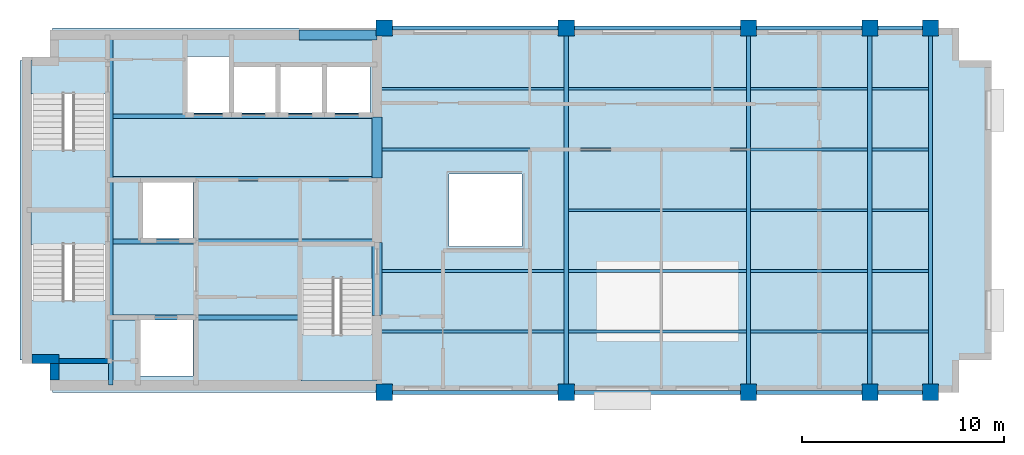
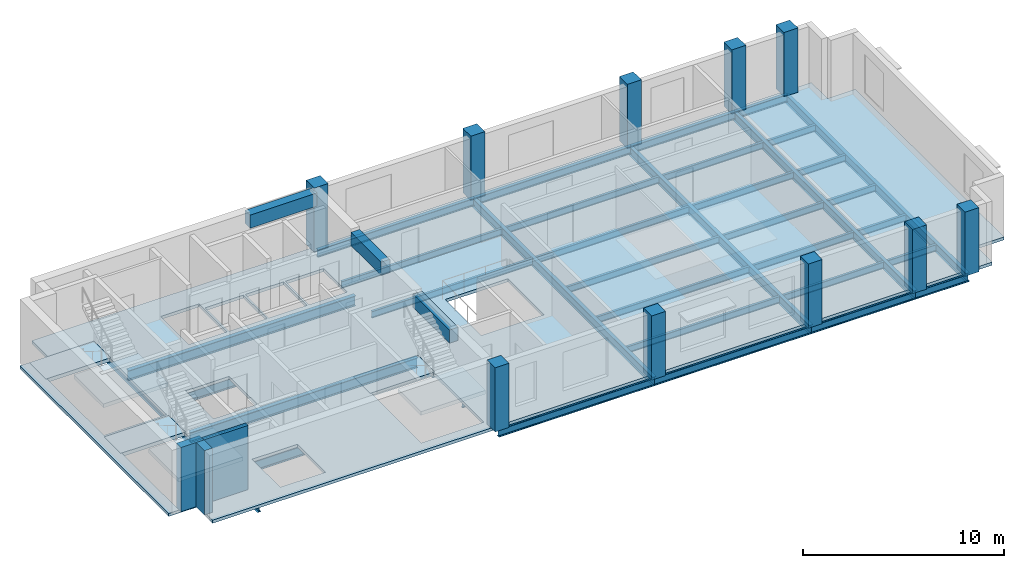
# One storey, part 1 of 5: 39 beams, 10 columns, 7 slabs, 3 walls, 3 elements without a shape of their own.
"""IFC4 building model written with IfcOpenShell, lengths in metres."""

from ifc_helpers import new_model, si_unit, direction, frame, frame_2d, origin, origin_2d, place, context, subcontext, project, spatial, polyline, rectangle, i_section, outline, extrude, material, layer, layer_set, material_profile, profile_set, type_object, element, aggregate, save


model = new_model("IFC4")

# Units and contexts
model_context = context("Model", 3, precision=1e-05, world=origin(), true_north=direction((0.0, 1.0)))
body_context = subcontext(model_context, "Body", "Model", "MODEL_VIEW")
ifc_project = project(units=[si_unit("LENGTHUNIT", "METRE"), si_unit("AREAUNIT", "SQUARE_METRE"), si_unit("VOLUMEUNIT", "CUBIC_METRE"), si_unit("PLANEANGLEUNIT", "RADIAN"), si_unit("MASSUNIT", "GRAM", prefix="KILO")], contexts=[model_context])

# Site, building, storey
site_placement = place(None, origin())
site = spatial("IfcSite", under=ifc_project, at=site_placement, CompositionType="ELEMENT")
building_placement = place(site_placement, origin())
building = spatial("IfcBuilding", under=site, at=building_placement, Name="Mawjdan Bourse Tower", CompositionType="ELEMENT")
storey_placement = place(building_placement, frame((0.0, 0.0, 270.300048828125)))
storey = spatial("IfcBuildingStorey", under=building, at=storey_placement, Name="L66", CompositionType="ELEMENT", Elevation=270.300048828125)

# Columns
ifc_material_1 = material(Name="Concrete C60/75", Category="concrete")
ifc_material_profile_1 = material_profile(ifc_material_1, rectangle(XDim=0.800048828125, YDim=0.800048828125, at=origin_2d()), Name="RC800X800")
ifc_profile_set_1 = profile_set([ifc_material_profile_1], Name="Concrete C60/75")
column_type = type_object("IfcColumnType", Name="COL-RC800X800", PredefinedType="COLUMN", material=ifc_profile_set_1)
for number, where, z_axis, x_axis, name in (
    (1, (24.0, 3.0, 0.0), (0.0, 0.0, 1.0), (1.0, 0.0, 0.0), "L66 Structural Column C-X240-Y30"),
    (2, (24.0, 21.0, 0.0), (0.0, 0.0, 1.0), (1.0, 0.0, 0.0), "L66 Structural Column C-X240-Y210"),
    (3, (33.0, 3.0, 0.0), (0.0, 0.0, 1.0), (1.0, 0.0, 0.0), "L66 Structural Column C-X330-Y30"),
    (4, (33.0, 21.0, 0.0), (0.0, 0.0, 1.0), (1.0, 0.0, 0.0), "L66 Structural Column C-X330-Y210"),
    (5, (42.0, 3.0, 0.0), (0.0, 0.0, 1.0), (1.0, 0.0, 0.0), "L66 Structural Column C-X420-Y30"),
    (6, (42.0, 21.0, 0.0), (0.0, 0.0, 1.0), (1.0, 0.0, 0.0), "L66 Structural Column C-X420-Y210"),
    (7, (48.0, 3.0, 0.0), (0.0, 0.0, 1.0), (1.0, 0.0, 0.0), "L66 Structural Column C-X480-Y30"),
    (8, (48.0, 21.0, 0.0), (0.0, 0.0, 1.0), (1.0, 0.0, 0.0), "L66 Structural Column C-X480-Y210"),
    (9, (51.0, 3.0, 0.0), (0.0, 0.0, 1.0), (1.0, 0.0, 0.0), "L66 Structural Column C-X510-Y30"),
    (10, (51.0, 21.0, 0.0), (0.0, 0.0, 1.0), (1.0, 0.0, 0.0), "L66 Structural Column C-X510-Y210"),
):
    element("IfcColumn", number, at=place(storey_placement, frame(where, z_axis=z_axis, x_axis=x_axis)), inside=storey, type_object=column_type, Name=name, PredefinedType="COLUMN", context=body_context, shape_type="SweptSolid", body=[
        extrude(rectangle(XDim=0.800048828125, YDim=0.800048828125, at=origin_2d()), origin(), (0.0, 0.0, 1.0), 3.89990234375),
    ])

# Beams
ifc_material_2 = material(Name="Structural Steel S355", Category="steel")
ifc_material_profile_2 = material_profile(ifc_material_2, i_section(OverallWidth=0.2119140625, OverallDepth=0.5439453125, WebThickness=0.01318359375, FlangeThickness=0.021240234375, FilletRadius=0.01708984375, at=origin_2d()), Name="W21X83")
ifc_profile_set_2 = profile_set([ifc_material_profile_2], Name="Structural Steel S355")
beam_type_1 = type_object("IfcBeamType", Name="GRD-W21X83", PredefinedType="BEAM", material=ifc_profile_set_2)
beam_1_placement = place(storey_placement, frame((10.47998046875, 3.35009765625, -0.45703125), z_axis=(0.0, 1.0, 0.0), x_axis=(-1.0, 0.0, 0.0)))
element("IfcBeam", 11, at=beam_1_placement, inside=storey, type_object=beam_type_1, Name="L66 Core Stair Trimmer Girder 001", PredefinedType="BEAM", context=body_context, shape_type="SweptSolid", body=[
    extrude(i_section(OverallWidth=0.2119140625, OverallDepth=0.5439453125, WebThickness=0.01318359375, FlangeThickness=0.021240234375, FilletRadius=0.01708984375, at=origin_2d()), origin(), (0.0, 0.0, 1.0), 17.2998046875),
])
for number, where, z_axis, x_axis, name in (
    (12, (33.0, 3.0, -0.45703125), (0.0, 1.0, 0.0), (-1.0, 0.0, 0.0), "L66 East Wing Clear-Span Girder 002"),
    (13, (42.0, 3.0, -0.45703125), (0.0, 1.0, 0.0), (-1.0, 0.0, 0.0), "L66 East Wing Clear-Span Girder 003"),
    (14, (48.0, 3.0, -0.45703125), (0.0, 1.0, 0.0), (-1.0, 0.0, 0.0), "L66 East Wing Clear-Span Girder 004"),
    (15, (51.0, 3.0, -0.45703125), (0.0, 1.0, 0.0), (-1.0, 0.0, 0.0), "L66 East Wing Clear-Span Girder 005"),
):
    element("IfcBeam", number, at=place(storey_placement, frame(where, z_axis=z_axis, x_axis=x_axis)), inside=storey, type_object=beam_type_1, Name=name, PredefinedType="BEAM", context=body_context, shape_type="SweptSolid", body=[
        extrude(i_section(OverallWidth=0.2119140625, OverallDepth=0.5439453125, WebThickness=0.01318359375, FlangeThickness=0.021240234375, FilletRadius=0.01708984375, at=origin_2d()), origin(), (0.0, 0.0, 1.0), 18.0),
    ])
ifc_material_profile_3 = material_profile(ifc_material_2, i_section(OverallWidth=0.139892578125, OverallDepth=0.404052734375, WebThickness=0.007080078125, FlangeThickness=0.01123046875, FilletRadius=0.009033203125, at=origin_2d()), Name="W16X31")
ifc_profile_set_3 = profile_set([ifc_material_profile_3], Name="Structural Steel S355")
beam_type_2 = type_object("IfcBeamType", Name="JST-W16X31", PredefinedType="JOIST", material=ifc_profile_set_3)
beam_2_placement = place(storey_placement, frame((23.64990234375, 6.0, -0.386962890625), z_axis=(1.0, 0.0, 0.0), x_axis=(0.0, 1.0, 0.0)))
element("IfcBeam", 16, at=beam_2_placement, inside=storey, type_object=beam_type_2, Name="L66 East Wing Composite Joist 014", PredefinedType="JOIST", context=body_context, shape_type="SweptSolid", body=[
    extrude(i_section(OverallWidth=0.139892578125, OverallDepth=0.404052734375, WebThickness=0.007080078125, FlangeThickness=0.01123046875, FilletRadius=0.009033203125, at=origin_2d()), origin(), (0.0, 0.0, 1.0), 9.24609375),
])
beam_3_placement = place(storey_placement, frame((33.10400390625, 6.0, -0.386962890625), z_axis=(1.0, 0.0, 0.0), x_axis=(0.0, 1.0, 0.0)))
element("IfcBeam", 17, at=beam_3_placement, inside=storey, type_object=beam_type_2, Name="L66 East Wing Composite Joist 015", PredefinedType="JOIST", context=body_context, shape_type="SweptSolid", body=[
    extrude(i_section(OverallWidth=0.139892578125, OverallDepth=0.404052734375, WebThickness=0.007080078125, FlangeThickness=0.01123046875, FilletRadius=0.009033203125, at=origin_2d()), origin(), (0.0, 0.0, 1.0), 8.7919921875),
])
beam_4_placement = place(storey_placement, frame((42.10400390625, 6.0, -0.386962890625), z_axis=(1.0, 0.0, 0.0), x_axis=(0.0, 1.0, 0.0)))
element("IfcBeam", 18, at=beam_4_placement, inside=storey, type_object=beam_type_2, Name="L66 East Wing Composite Joist 016", PredefinedType="JOIST", context=body_context, shape_type="SweptSolid", body=[
    extrude(i_section(OverallWidth=0.139892578125, OverallDepth=0.404052734375, WebThickness=0.007080078125, FlangeThickness=0.01123046875, FilletRadius=0.009033203125, at=origin_2d()), origin(), (0.0, 0.0, 1.0), 5.7919921875),
])
beam_5_placement = place(storey_placement, frame((48.10400390625, 6.0, -0.386962890625), z_axis=(1.0, 0.0, 0.0), x_axis=(0.0, 1.0, 0.0)))
element("IfcBeam", 19, at=beam_5_placement, inside=storey, type_object=beam_type_2, Name="L66 East Wing Composite Joist 017", PredefinedType="JOIST", context=body_context, shape_type="SweptSolid", body=[
    extrude(i_section(OverallWidth=0.139892578125, OverallDepth=0.404052734375, WebThickness=0.007080078125, FlangeThickness=0.01123046875, FilletRadius=0.009033203125, at=origin_2d()), origin(), (0.0, 0.0, 1.0), 2.7919921875),
])
beam_6_placement = place(storey_placement, frame((23.64990234375, 9.0, -0.386962890625), z_axis=(1.0, 0.0, 0.0), x_axis=(0.0, 1.0, 0.0)))
element("IfcBeam", 20, at=beam_6_placement, inside=storey, type_object=beam_type_2, Name="L66 East Wing Composite Joist 018", PredefinedType="JOIST", context=body_context, shape_type="SweptSolid", body=[
    extrude(i_section(OverallWidth=0.139892578125, OverallDepth=0.404052734375, WebThickness=0.007080078125, FlangeThickness=0.01123046875, FilletRadius=0.009033203125, at=origin_2d()), origin(), (0.0, 0.0, 1.0), 9.24609375),
])
beam_7_placement = place(storey_placement, frame((33.10400390625, 9.0, -0.386962890625), z_axis=(1.0, 0.0, 0.0), x_axis=(0.0, 1.0, 0.0)))
element("IfcBeam", 21, at=beam_7_placement, inside=storey, type_object=beam_type_2, Name="L66 East Wing Composite Joist 019", PredefinedType="JOIST", context=body_context, shape_type="SweptSolid", body=[
    extrude(i_section(OverallWidth=0.139892578125, OverallDepth=0.404052734375, WebThickness=0.007080078125, FlangeThickness=0.01123046875, FilletRadius=0.009033203125, at=origin_2d()), origin(), (0.0, 0.0, 1.0), 8.7919921875),
])
beam_8_placement = place(storey_placement, frame((42.10400390625, 9.0, -0.386962890625), z_axis=(1.0, 0.0, 0.0), x_axis=(0.0, 1.0, 0.0)))
element("IfcBeam", 22, at=beam_8_placement, inside=storey, type_object=beam_type_2, Name="L66 East Wing Composite Joist 020", PredefinedType="JOIST", context=body_context, shape_type="SweptSolid", body=[
    extrude(i_section(OverallWidth=0.139892578125, OverallDepth=0.404052734375, WebThickness=0.007080078125, FlangeThickness=0.01123046875, FilletRadius=0.009033203125, at=origin_2d()), origin(), (0.0, 0.0, 1.0), 5.7919921875),
])
beam_9_placement = place(storey_placement, frame((48.10400390625, 9.0, -0.386962890625), z_axis=(1.0, 0.0, 0.0), x_axis=(0.0, 1.0, 0.0)))
element("IfcBeam", 23, at=beam_9_placement, inside=storey, type_object=beam_type_2, Name="L66 East Wing Composite Joist 021", PredefinedType="JOIST", context=body_context, shape_type="SweptSolid", body=[
    extrude(i_section(OverallWidth=0.139892578125, OverallDepth=0.404052734375, WebThickness=0.007080078125, FlangeThickness=0.01123046875, FilletRadius=0.009033203125, at=origin_2d()), origin(), (0.0, 0.0, 1.0), 2.7919921875),
])
beam_10_placement = place(storey_placement, frame((33.10400390625, 12.0, -0.386962890625), z_axis=(1.0, 0.0, 0.0), x_axis=(0.0, 1.0, 0.0)))
element("IfcBeam", 24, at=beam_10_placement, inside=storey, type_object=beam_type_2, Name="L66 East Wing Composite Joist 022", PredefinedType="JOIST", context=body_context, shape_type="SweptSolid", body=[
    extrude(i_section(OverallWidth=0.139892578125, OverallDepth=0.404052734375, WebThickness=0.007080078125, FlangeThickness=0.01123046875, FilletRadius=0.009033203125, at=origin_2d()), origin(), (0.0, 0.0, 1.0), 8.7919921875),
])
beam_11_placement = place(storey_placement, frame((42.10400390625, 12.0, -0.386962890625), z_axis=(1.0, 0.0, 0.0), x_axis=(0.0, 1.0, 0.0)))
element("IfcBeam", 25, at=beam_11_placement, inside=storey, type_object=beam_type_2, Name="L66 East Wing Composite Joist 023", PredefinedType="JOIST", context=body_context, shape_type="SweptSolid", body=[
    extrude(i_section(OverallWidth=0.139892578125, OverallDepth=0.404052734375, WebThickness=0.007080078125, FlangeThickness=0.01123046875, FilletRadius=0.009033203125, at=origin_2d()), origin(), (0.0, 0.0, 1.0), 5.7919921875),
])
beam_12_placement = place(storey_placement, frame((48.10400390625, 12.0, -0.386962890625), z_axis=(1.0, 0.0, 0.0), x_axis=(0.0, 1.0, 0.0)))
element("IfcBeam", 26, at=beam_12_placement, inside=storey, type_object=beam_type_2, Name="L66 East Wing Composite Joist 024", PredefinedType="JOIST", context=body_context, shape_type="SweptSolid", body=[
    extrude(i_section(OverallWidth=0.139892578125, OverallDepth=0.404052734375, WebThickness=0.007080078125, FlangeThickness=0.01123046875, FilletRadius=0.009033203125, at=origin_2d()), origin(), (0.0, 0.0, 1.0), 2.7919921875),
])
beam_13_placement = place(storey_placement, frame((23.64990234375, 15.0, -0.386962890625), z_axis=(1.0, 0.0, 0.0), x_axis=(0.0, 1.0, 0.0)))
element("IfcBeam", 27, at=beam_13_placement, inside=storey, type_object=beam_type_2, Name="L66 East Wing Composite Joist 025", PredefinedType="JOIST", context=body_context, shape_type="SweptSolid", body=[
    extrude(i_section(OverallWidth=0.139892578125, OverallDepth=0.404052734375, WebThickness=0.007080078125, FlangeThickness=0.01123046875, FilletRadius=0.009033203125, at=origin_2d()), origin(), (0.0, 0.0, 1.0), 9.24609375),
])
beam_14_placement = place(storey_placement, frame((33.10400390625, 15.0, -0.386962890625), z_axis=(1.0, 0.0, 0.0), x_axis=(0.0, 1.0, 0.0)))
element("IfcBeam", 28, at=beam_14_placement, inside=storey, type_object=beam_type_2, Name="L66 East Wing Composite Joist 026", PredefinedType="JOIST", context=body_context, shape_type="SweptSolid", body=[
    extrude(i_section(OverallWidth=0.139892578125, OverallDepth=0.404052734375, WebThickness=0.007080078125, FlangeThickness=0.01123046875, FilletRadius=0.009033203125, at=origin_2d()), origin(), (0.0, 0.0, 1.0), 8.7919921875),
])
beam_15_placement = place(storey_placement, frame((42.10400390625, 15.0, -0.386962890625), z_axis=(1.0, 0.0, 0.0), x_axis=(0.0, 1.0, 0.0)))
element("IfcBeam", 29, at=beam_15_placement, inside=storey, type_object=beam_type_2, Name="L66 East Wing Composite Joist 027", PredefinedType="JOIST", context=body_context, shape_type="SweptSolid", body=[
    extrude(i_section(OverallWidth=0.139892578125, OverallDepth=0.404052734375, WebThickness=0.007080078125, FlangeThickness=0.01123046875, FilletRadius=0.009033203125, at=origin_2d()), origin(), (0.0, 0.0, 1.0), 5.7919921875),
])
beam_16_placement = place(storey_placement, frame((48.10400390625, 15.0, -0.386962890625), z_axis=(1.0, 0.0, 0.0), x_axis=(0.0, 1.0, 0.0)))
element("IfcBeam", 30, at=beam_16_placement, inside=storey, type_object=beam_type_2, Name="L66 East Wing Composite Joist 028", PredefinedType="JOIST", context=body_context, shape_type="SweptSolid", body=[
    extrude(i_section(OverallWidth=0.139892578125, OverallDepth=0.404052734375, WebThickness=0.007080078125, FlangeThickness=0.01123046875, FilletRadius=0.009033203125, at=origin_2d()), origin(), (0.0, 0.0, 1.0), 2.7919921875),
])
beam_17_placement = place(storey_placement, frame((23.64990234375, 18.0, -0.386962890625), z_axis=(1.0, 0.0, 0.0), x_axis=(0.0, 1.0, 0.0)))
element("IfcBeam", 31, at=beam_17_placement, inside=storey, type_object=beam_type_2, Name="L66 East Wing Composite Joist 029", PredefinedType="JOIST", context=body_context, shape_type="SweptSolid", body=[
    extrude(i_section(OverallWidth=0.139892578125, OverallDepth=0.404052734375, WebThickness=0.007080078125, FlangeThickness=0.01123046875, FilletRadius=0.009033203125, at=origin_2d()), origin(), (0.0, 0.0, 1.0), 9.24609375),
])
beam_18_placement = place(storey_placement, frame((33.10400390625, 18.0, -0.386962890625), z_axis=(1.0, 0.0, 0.0), x_axis=(0.0, 1.0, 0.0)))
element("IfcBeam", 32, at=beam_18_placement, inside=storey, type_object=beam_type_2, Name="L66 East Wing Composite Joist 030", PredefinedType="JOIST", context=body_context, shape_type="SweptSolid", body=[
    extrude(i_section(OverallWidth=0.139892578125, OverallDepth=0.404052734375, WebThickness=0.007080078125, FlangeThickness=0.01123046875, FilletRadius=0.009033203125, at=origin_2d()), origin(), (0.0, 0.0, 1.0), 8.7919921875),
])
beam_19_placement = place(storey_placement, frame((42.10400390625, 18.0, -0.386962890625), z_axis=(1.0, 0.0, 0.0), x_axis=(0.0, 1.0, 0.0)))
element("IfcBeam", 33, at=beam_19_placement, inside=storey, type_object=beam_type_2, Name="L66 East Wing Composite Joist 031", PredefinedType="JOIST", context=body_context, shape_type="SweptSolid", body=[
    extrude(i_section(OverallWidth=0.139892578125, OverallDepth=0.404052734375, WebThickness=0.007080078125, FlangeThickness=0.01123046875, FilletRadius=0.009033203125, at=origin_2d()), origin(), (0.0, 0.0, 1.0), 5.7919921875),
])
beam_20_placement = place(storey_placement, frame((48.10400390625, 18.0, -0.386962890625), z_axis=(1.0, 0.0, 0.0), x_axis=(0.0, 1.0, 0.0)))
element("IfcBeam", 34, at=beam_20_placement, inside=storey, type_object=beam_type_2, Name="L66 East Wing Composite Joist 032", PredefinedType="JOIST", context=body_context, shape_type="SweptSolid", body=[
    extrude(i_section(OverallWidth=0.139892578125, OverallDepth=0.404052734375, WebThickness=0.007080078125, FlangeThickness=0.01123046875, FilletRadius=0.009033203125, at=origin_2d()), origin(), (0.0, 0.0, 1.0), 2.7919921875),
])
ifc_material_profile_4 = material_profile(ifc_material_2, i_section(OverallWidth=0.22998046875, OverallDepth=0.616943359375, WebThickness=0.01318359375, FlangeThickness=0.022216796875, FilletRadius=0.017822265625, at=origin_2d()), Name="W24X94")
ifc_profile_set_4 = profile_set([ifc_material_profile_4], Name="Structural Steel S355")
beam_type_3 = type_object("IfcBeamType", Name="JST-W24X94", PredefinedType="JOIST", material=ifc_profile_set_4)
beam_21_placement = place(storey_placement, frame((10.583984375, 6.699951171875, -0.49365234375), z_axis=(1.0, 0.0, 0.0), x_axis=(0.0, 1.0, 0.0)))
element("IfcBeam", 35, at=beam_21_placement, inside=storey, type_object=beam_type_3, Name="L66 Core Floor Joist 033", PredefinedType="JOIST", context=body_context, shape_type="SweptSolid", body=[
    extrude(i_section(OverallWidth=0.22998046875, OverallDepth=0.616943359375, WebThickness=0.01318359375, FlangeThickness=0.022216796875, FilletRadius=0.017822265625, at=origin_2d()), origin(), (0.0, 0.0, 1.0), 9.24609375),
])
for number, where, z_axis, x_axis, name in (
    (36, (10.583984375, 10.449951171875, -0.49365234375), (1.0, 0.0, 0.0), (0.0, 1.0, 0.0), "L66 Core Floor Joist 034"),
    (37, (10.583984375, 13.550048828125, -0.49365234375), (1.0, 0.0, 0.0), (0.0, 1.0, 0.0), "L66 Core Floor Joist 035"),
    (38, (10.583984375, 16.64990234375, -0.49365234375), (1.0, 0.0, 0.0), (0.0, 1.0, 0.0), "L66 Core Floor Joist 036"),
):
    element("IfcBeam", number, at=place(storey_placement, frame(where, z_axis=z_axis, x_axis=x_axis)), inside=storey, type_object=beam_type_3, Name=name, PredefinedType="JOIST", context=body_context, shape_type="SweptSolid", body=[
        extrude(i_section(OverallWidth=0.22998046875, OverallDepth=0.616943359375, WebThickness=0.01318359375, FlangeThickness=0.022216796875, FilletRadius=0.017822265625, at=origin_2d()), origin(), (0.0, 0.0, 1.0), 13.06591796875),
    ])
ifc_material_3 = material(Name="Concrete C70/85", Category="concrete")
ifc_material_profile_5 = material_profile(ifc_material_3, rectangle(XDim=0.5, YDim=0.800048828125, at=origin_2d()), Name="RCB500X800")
ifc_profile_set_5 = profile_set([ifc_material_profile_5], Name="Concrete C70/85")
beam_type_4 = type_object("IfcBeamType", Name="LNT-RCB500X800", PredefinedType="LINTEL", material=ifc_profile_set_5)
beam_22_placement = place(storey_placement, frame((23.64990234375, 6.800048828125, 3.31494140625), z_axis=(0.0, 1.0, 0.0), x_axis=(-1.0, 0.0, 0.0)))
element("IfcBeam", 39, at=beam_22_placement, inside=storey, type_object=beam_type_4, Name="L66 Coupled Core Lintel CB-E1", PredefinedType="LINTEL", context=body_context, shape_type="SweptSolid", body=[
    extrude(rectangle(XDim=0.5, YDim=0.800048828125, at=origin_2d()), origin(), (0.0, 0.0, 1.0), 3.599853515625),
])
beam_23_placement = place(storey_placement, frame((23.64990234375, 13.60009765625, 3.31494140625), z_axis=(0.0, 1.0, 0.0), x_axis=(-1.0, 0.0, 0.0)))
element("IfcBeam", 40, at=beam_23_placement, inside=storey, type_object=beam_type_4, Name="L66 Coupled Core Lintel CB-E2", PredefinedType="LINTEL", context=body_context, shape_type="SweptSolid", body=[
    extrude(rectangle(XDim=0.5, YDim=0.800048828125, at=origin_2d()), origin(), (0.0, 0.0, 1.0), 3.0),
])
beam_24_placement = place(storey_placement, frame((19.800048828125, 20.64990234375, 3.31494140625), z_axis=(1.0, 0.0, 0.0), x_axis=(0.0, 1.0, 0.0)))
element("IfcBeam", 41, at=beam_24_placement, inside=storey, type_object=beam_type_4, Name="L66 Coupled Core Lintel CB-N1", PredefinedType="LINTEL", context=body_context, shape_type="SweptSolid", body=[
    extrude(rectangle(XDim=0.5, YDim=0.800048828125, at=origin_2d()), origin(), (0.0, 0.0, 1.0), 3.849853515625),
])
ifc_material_profile_6 = material_profile(ifc_material_2, i_section(OverallWidth=0.19189453125, OverallDepth=0.462890625, WebThickness=0.010498046875, FlangeThickness=0.017578125, FilletRadius=0.01416015625, at=origin_2d()), Name="W18X60")
ifc_profile_set_6 = profile_set([ifc_material_profile_6], Name="Structural Steel S355")
beam_type_5 = type_object("IfcBeamType", Name="SPN-W18X60", PredefinedType="SPANDREL", material=ifc_profile_set_6)
for number, where, z_axis, x_axis, name in (
    (42, (24.0, 3.0, -0.41650390625), (1.0, 0.0, 0.0), (0.0, 1.0, 0.0), "L66 Perimeter Masonry-Shelf Spandrel 006"),
    (43, (33.0, 3.0, -0.41650390625), (1.0, 0.0, 0.0), (0.0, 1.0, 0.0), "L66 Perimeter Masonry-Shelf Spandrel 007"),
):
    element("IfcBeam", number, at=place(storey_placement, frame(where, z_axis=z_axis, x_axis=x_axis)), inside=storey, type_object=beam_type_5, Name=name, PredefinedType="SPANDREL", context=body_context, shape_type="SweptSolid", body=[
        extrude(i_section(OverallWidth=0.19189453125, OverallDepth=0.462890625, WebThickness=0.010498046875, FlangeThickness=0.017578125, FilletRadius=0.01416015625, at=origin_2d()), origin(), (0.0, 0.0, 1.0), 9.0),
    ])
beam_25_placement = place(storey_placement, frame((42.0, 3.0, -0.41650390625), z_axis=(1.0, 0.0, 0.0), x_axis=(0.0, 1.0, 0.0)))
element("IfcBeam", 44, at=beam_25_placement, inside=storey, type_object=beam_type_5, Name="L66 Perimeter Masonry-Shelf Spandrel 008", PredefinedType="SPANDREL", context=body_context, shape_type="SweptSolid", body=[
    extrude(i_section(OverallWidth=0.19189453125, OverallDepth=0.462890625, WebThickness=0.010498046875, FlangeThickness=0.017578125, FilletRadius=0.01416015625, at=origin_2d()), origin(), (0.0, 0.0, 1.0), 6.0),
])
beam_26_placement = place(storey_placement, frame((48.0, 3.0, -0.41650390625), z_axis=(1.0, 0.0, 0.0), x_axis=(0.0, 1.0, 0.0)))
element("IfcBeam", 45, at=beam_26_placement, inside=storey, type_object=beam_type_5, Name="L66 Perimeter Masonry-Shelf Spandrel 009", PredefinedType="SPANDREL", context=body_context, shape_type="SweptSolid", body=[
    extrude(i_section(OverallWidth=0.19189453125, OverallDepth=0.462890625, WebThickness=0.010498046875, FlangeThickness=0.017578125, FilletRadius=0.01416015625, at=origin_2d()), origin(), (0.0, 0.0, 1.0), 3.0),
])
for number, where, z_axis, x_axis, name in (
    (46, (24.0, 21.0, -0.41650390625), (1.0, 0.0, 0.0), (0.0, 1.0, 0.0), "L66 Perimeter Masonry-Shelf Spandrel 010"),
    (47, (33.0, 21.0, -0.41650390625), (1.0, 0.0, 0.0), (0.0, 1.0, 0.0), "L66 Perimeter Masonry-Shelf Spandrel 011"),
):
    element("IfcBeam", number, at=place(storey_placement, frame(where, z_axis=z_axis, x_axis=x_axis)), inside=storey, type_object=beam_type_5, Name=name, PredefinedType="SPANDREL", context=body_context, shape_type="SweptSolid", body=[
        extrude(i_section(OverallWidth=0.19189453125, OverallDepth=0.462890625, WebThickness=0.010498046875, FlangeThickness=0.017578125, FilletRadius=0.01416015625, at=origin_2d()), origin(), (0.0, 0.0, 1.0), 9.0),
    ])
beam_27_placement = place(storey_placement, frame((42.0, 21.0, -0.41650390625), z_axis=(1.0, 0.0, 0.0), x_axis=(0.0, 1.0, 0.0)))
element("IfcBeam", 48, at=beam_27_placement, inside=storey, type_object=beam_type_5, Name="L66 Perimeter Masonry-Shelf Spandrel 012", PredefinedType="SPANDREL", context=body_context, shape_type="SweptSolid", body=[
    extrude(i_section(OverallWidth=0.19189453125, OverallDepth=0.462890625, WebThickness=0.010498046875, FlangeThickness=0.017578125, FilletRadius=0.01416015625, at=origin_2d()), origin(), (0.0, 0.0, 1.0), 6.0),
])
beam_28_placement = place(storey_placement, frame((48.0, 21.0, -0.41650390625), z_axis=(1.0, 0.0, 0.0), x_axis=(0.0, 1.0, 0.0)))
element("IfcBeam", 49, at=beam_28_placement, inside=storey, type_object=beam_type_5, Name="L66 Perimeter Masonry-Shelf Spandrel 013", PredefinedType="SPANDREL", context=body_context, shape_type="SweptSolid", body=[
    extrude(i_section(OverallWidth=0.19189453125, OverallDepth=0.462890625, WebThickness=0.010498046875, FlangeThickness=0.017578125, FilletRadius=0.01416015625, at=origin_2d()), origin(), (0.0, 0.0, 1.0), 3.0),
])

# Stair, slabs
ifc_material_4 = material(Name="Concrete C50/60", Category="concrete")
stair_type = type_object("IfcStairType", Name="STR-CORE-1500", PredefinedType="HALF_TURN_STAIR", material=ifc_material_4)
stair_1_placement = place(storey_placement, origin())
stair_1 = element("IfcStair", 50, at=stair_1_placement, inside=storey, type_object=stair_type, Name="L66 Exit Stair 1 (Core South-West)", PredefinedType="HALF_TURN_STAIR")
ifc_layer_1 = layer(ifc_material_4, 0.22998046875)
ifc_layer_set_1 = layer_set([ifc_layer_1], Name="Concrete C50/60")
slab_type_1 = type_object("IfcSlabType", Name="SL-LND-230", PredefinedType="LANDING", material=ifc_layer_set_1)
slab_1_placement = place(storey_placement, frame((0.0, 0.0, -0.22998046875)))
slab_1 = element("IfcSlab", 51, at=slab_1_placement, type_object=slab_type_1, Name="ST1-L66 landing 1", PredefinedType="LANDING", context=body_context, shape_type="SweptSolid", body=[
    extrude(outline(polyline([(6.5400390625, 10.31005859375), (10.260009765625, 10.31005859375), (10.260009765625, 11.969970703125), (6.5400390625, 11.969970703125), (6.5400390625, 10.31005859375)])), origin(), (0.0, 0.0, 1.0), 0.22998046875),
])
slab_2_placement = place(storey_placement, frame((0.0, 0.0, 1.719970703125)))
slab_2 = element("IfcSlab", 52, at=slab_2_placement, type_object=slab_type_1, Name="ST1-L66 landing 2", PredefinedType="LANDING", context=body_context, shape_type="SweptSolid", body=[
    extrude(outline(polyline([(6.5400390625, 4.590087890625), (10.260009765625, 4.590087890625), (10.260009765625, 7.5400390625), (6.5400390625, 7.5400390625), (6.5400390625, 4.590087890625)])), origin(), (0.0, 0.0, 1.0), 0.22998046875),
])
aggregate(stair_1, [slab_1, slab_2])

stair_2_placement = place(storey_placement, origin())
stair_2 = element("IfcStair", 53, at=stair_2_placement, inside=storey, type_object=stair_type, Name="L66 Exit Stair 2 (Core North-West)", PredefinedType="HALF_TURN_STAIR")
slab_3_placement = place(storey_placement, frame((0.0, 0.0, -0.22998046875)))
slab_3 = element("IfcSlab", 54, at=slab_3_placement, type_object=slab_type_1, Name="ST2-L66 landing 1", PredefinedType="LANDING", context=body_context, shape_type="SweptSolid", body=[
    extrude(outline(polyline([(6.5400390625, 17.75), (10.260009765625, 17.75), (10.260009765625, 19.409912109375), (6.5400390625, 19.409912109375), (6.5400390625, 17.75)])), origin(), (0.0, 0.0, 1.0), 0.22998046875),
])
slab_4_placement = place(storey_placement, frame((0.0, 0.0, 1.719970703125)))
slab_4 = element("IfcSlab", 55, at=slab_4_placement, type_object=slab_type_1, Name="ST2-L66 landing 2", PredefinedType="LANDING", context=body_context, shape_type="SweptSolid", body=[
    extrude(outline(polyline([(6.5400390625, 12.030029296875), (10.260009765625, 12.030029296875), (10.260009765625, 14.97998046875), (6.5400390625, 14.97998046875), (6.5400390625, 12.030029296875)])), origin(), (0.0, 0.0, 1.0), 0.22998046875),
])
aggregate(stair_2, [slab_3, slab_4])

stair_3_placement = place(storey_placement, origin())
stair_3 = element("IfcStair", 56, at=stair_3_placement, inside=storey, type_object=stair_type, Name="L66 Exit Stair 7 (Core South-East)", PredefinedType="HALF_TURN_STAIR")
slab_5_placement = place(storey_placement, frame((0.0, 0.0, -0.22998046875)))
slab_5 = element("IfcSlab", 57, at=slab_5_placement, type_object=slab_type_1, Name="ST7-L66 landing 1", PredefinedType="LANDING", context=body_context, shape_type="SweptSolid", body=[
    extrude(outline(polyline([(19.889892578125, 8.6201171875), (23.610107421875, 8.6201171875), (23.610107421875, 10.280029296875), (19.889892578125, 10.280029296875), (19.889892578125, 8.6201171875)])), origin(), (0.0, 0.0, 1.0), 0.22998046875),
])
slab_6_placement = place(storey_placement, frame((0.0, 0.0, 1.719970703125)))
slab_6 = element("IfcSlab", 58, at=slab_6_placement, type_object=slab_type_1, Name="ST7-L66 landing 2", PredefinedType="LANDING", context=body_context, shape_type="SweptSolid", body=[
    extrude(outline(polyline([(19.889892578125, 3.56005859375), (23.610107421875, 3.56005859375), (23.610107421875, 5.85009765625), (19.889892578125, 5.85009765625), (19.889892578125, 3.56005859375)])), origin(), (0.0, 0.0, 1.0), 0.22998046875),
])
aggregate(stair_3, [slab_5, slab_6])

# Slab
ifc_layer_2 = layer(ifc_material_4, 0.18505859375)
ifc_layer_set_2 = layer_set([ifc_layer_2], Name="Concrete C50/60")
slab_type_2 = type_object("IfcSlabType", Name="SL-SMT-185", PredefinedType="FLOOR", material=ifc_layer_set_2)
slab_7_placement = place(storey_placement, frame((0.0, 0.0, -0.18505859375)))
element("IfcSlab", 59, at=slab_7_placement, inside=storey, type_object=slab_type_2, Name="L66 Structural Floor Slab 1", PredefinedType="FLOOR", context=body_context, shape_type="SweptSolid", body=[
    extrude(outline(polyline([(7.60009765625, 3.0), (52.39990234375, 3.0), (52.39990234375, 4.60009765625), (54.0, 4.60009765625), (54.0, 19.39990234375), (52.39990234375, 19.39990234375), (52.39990234375, 21.0), (7.60009765625, 21.0), (7.60009765625, 19.39990234375), (6.0, 19.39990234375), (6.0, 4.60009765625), (7.60009765625, 4.60009765625), (7.60009765625, 3.0)]), holes=[polyline([(14.550048828125, 3.800048828125), (11.949951171875, 3.800048828125), (11.949951171875, 6.60009765625), (14.550048828125, 6.60009765625), (14.550048828125, 3.800048828125)]), polyline([(10.260009765625, 11.969970703125), (10.260009765625, 10.31005859375), (10.199951171875, 10.31005859375), (10.199951171875, 4.64990234375), (6.60009765625, 4.64990234375), (6.60009765625, 10.31005859375), (6.5400390625, 10.31005859375), (6.5400390625, 11.969970703125), (10.260009765625, 11.969970703125)]), polyline([(14.550048828125, 10.60009765625), (12.050048828125, 10.60009765625), (12.050048828125, 13.39990234375), (14.550048828125, 13.39990234375), (14.550048828125, 10.60009765625)]), polyline([(6.60009765625, 12.090087890625), (6.60009765625, 17.75), (6.5400390625, 17.75), (6.5400390625, 19.3798828125), (7.60009765625, 19.3798828125), (7.60205078125, 19.380126953125), (7.60400390625, 19.38037109375), (7.605712890625, 19.380859375), (7.607666015625, 19.381591796875), (7.609375, 19.38232421875), (7.611083984375, 19.38330078125), (7.61279296875, 19.384521484375), (7.614013671875, 19.385986328125), (7.615478515625, 19.38720703125), (7.61669921875, 19.388916015625), (7.61767578125, 19.390625), (7.618408203125, 19.392333984375), (7.619140625, 19.394287109375), (7.61962890625, 19.39599609375), (7.619873046875, 19.39794921875), (7.6201171875, 19.39990234375), (7.6201171875, 19.409912109375), (10.260009765625, 19.409912109375), (10.260009765625, 17.75), (10.199951171875, 17.75), (10.199951171875, 12.090087890625), (6.60009765625, 12.090087890625)]), polyline([(14.199951171875, 16.800048828125), (14.199951171875, 19.60009765625), (16.39990234375, 19.60009765625), (16.39990234375, 16.800048828125), (14.199951171875, 16.800048828125)]), polyline([(23.610107421875, 10.280029296875), (23.610107421875, 8.6201171875), (23.550048828125, 8.6201171875), (23.550048828125, 3.6201171875), (19.949951171875, 3.6201171875), (19.949951171875, 8.6201171875), (19.889892578125, 8.6201171875), (19.889892578125, 10.280029296875), (23.610107421875, 10.280029296875)]), polyline([(27.199951171875, 10.199951171875), (27.199951171875, 13.800048828125), (30.800048828125, 13.800048828125), (30.800048828125, 10.199951171875), (27.199951171875, 10.199951171875)]), polyline([(16.5, 16.800048828125), (16.5, 19.14990234375), (18.699951171875, 19.14990234375), (18.699951171875, 16.800048828125), (16.5, 16.800048828125)]), polyline([(18.800048828125, 16.800048828125), (18.800048828125, 19.14990234375), (21.0, 19.14990234375), (21.0, 16.800048828125), (18.800048828125, 16.800048828125)]), polyline([(21.10009765625, 16.800048828125), (21.10009765625, 19.14990234375), (23.300048828125, 19.14990234375), (23.300048828125, 16.800048828125), (21.10009765625, 16.800048828125)])]), origin(), (0.0, 0.0, 1.0), 0.18505859375),
])

# Walls
ifc_layer_3 = layer(ifc_material_1, 0.449951171875)
ifc_layer_set_3 = layer_set([ifc_layer_3], Name="Concrete C60/75")
wall_type_1 = type_object("IfcWallType", Name="WL-CORE-450", PredefinedType="SHEAR", material=ifc_layer_set_3)
wall_1_placement = place(storey_placement, frame((6.60009765625, 4.64990234375, 0.0), z_axis=(0.0, 0.0, 1.0), x_axis=(1.0, 0.0, 0.0)))
element("IfcWall", 60, at=wall_1_placement, inside=storey, type_object=wall_type_1, Name="L66 Rear Core Shear Wall SW-X", PredefinedType="SHEAR", context=body_context, shape_type="SweptSolid", body=[
    extrude(rectangle(XDim=1.324951171875, YDim=0.449951171875, at=frame_2d((0.66259765625, 0.0))), origin(), (0.0, 0.0, 1.0), 3.89990234375),
])
wall_2_placement = place(storey_placement, frame((7.699951171875, 3.60009765625, 0.0), z_axis=(0.0, 0.0, 1.0), x_axis=(0.0, 1.0, 0.0)))
element("IfcWall", 61, at=wall_2_placement, inside=storey, type_object=wall_type_1, Name="L66 Rear Core Shear Wall SW-Y", PredefinedType="SHEAR", context=body_context, shape_type="SweptSolid", body=[
    extrude(rectangle(XDim=0.824951171875, YDim=0.449951171875, at=frame_2d((0.41259765625, 0.0))), origin(), (0.0, 0.0, 1.0), 3.89990234375),
])
ifc_layer_4 = layer(ifc_material_4, 0.25)
ifc_layer_set_4 = layer_set([ifc_layer_4], Name="Concrete C50/60")
wall_type_2 = type_object("IfcWallType", Name="WL-STRW-250", PredefinedType="SHEAR", material=ifc_layer_set_4)
wall_3_placement = place(storey_placement, frame((7.699951171875, 4.550048828125, 0.0), z_axis=(0.0, 0.0, 1.0), x_axis=(1.0, 0.0, 0.0)))
element("IfcWall", 62, at=wall_3_placement, inside=storey, type_object=wall_type_2, Name="L66 Stairwell ST1 South Shaft Wall", PredefinedType="SHEAR", context=body_context, shape_type="SweptSolid", body=[
    extrude(rectangle(XDim=2.755126953125, YDim=0.25, at=frame_2d((1.37744140625, 0.0))), origin(), (0.0, 0.0, 1.0), 3.89990234375),
])

save(model, "model.ifc")
